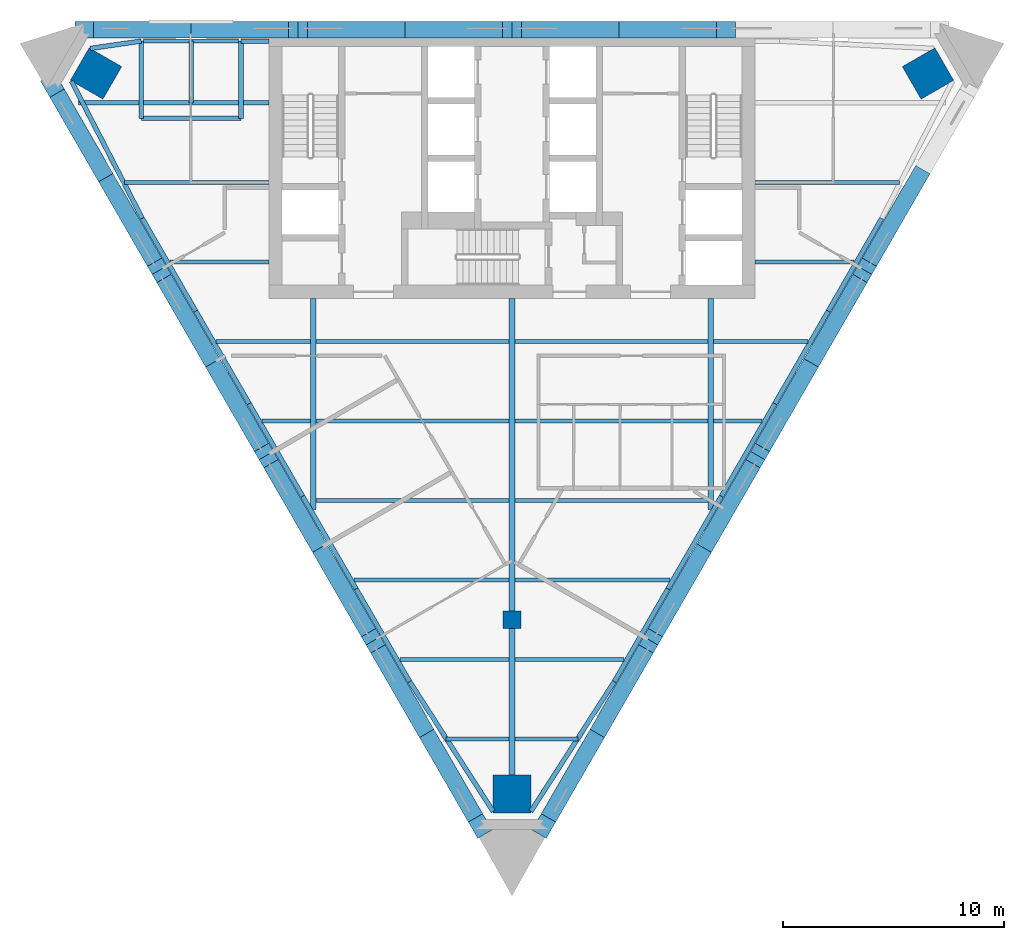
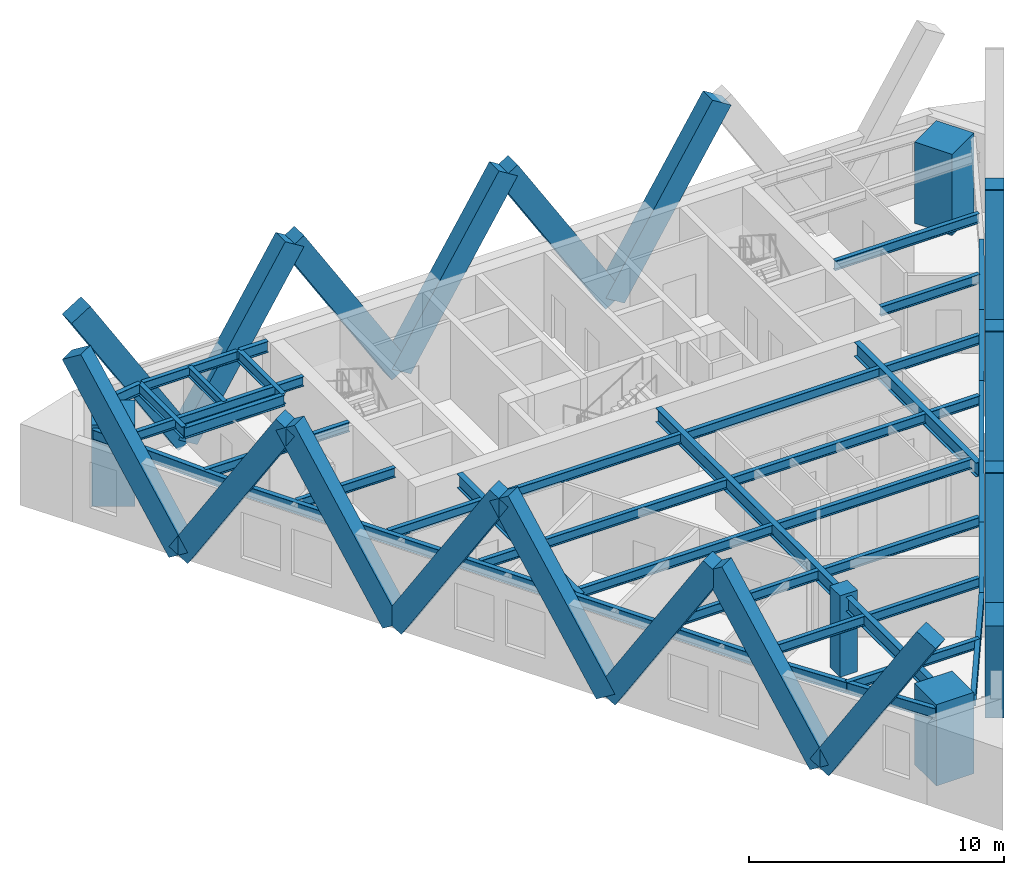
# One storey, part 1 of 7: 45 beams, 21 members, 4 columns.
"""IFC4 building model written with IfcOpenShell, lengths in metres."""

from ifc_helpers import new_model, si_unit, direction, frame, origin, origin_2d, place, context, subcontext, project, spatial, rectangle, i_section, extrude, material, material_profile, profile_set, type_object, element, save


model = new_model("IFC4")

# Units and contexts
model_context = context("Model", 3, precision=1e-05, world=origin(), true_north=direction((0.0, 1.0)))
body_context = subcontext(model_context, "Body", "Model", "MODEL_VIEW")
ifc_project = project(units=[si_unit("LENGTHUNIT", "METRE"), si_unit("AREAUNIT", "SQUARE_METRE"), si_unit("VOLUMEUNIT", "CUBIC_METRE"), si_unit("PLANEANGLEUNIT", "RADIAN"), si_unit("MASSUNIT", "GRAM", prefix="KILO")], contexts=[model_context])

# Site, building, storey
site_placement = place(None, origin())
site = spatial("IfcSite", under=ifc_project, at=site_placement, CompositionType="ELEMENT")
building_placement = place(site_placement, origin())
building = spatial("IfcBuilding", under=site, at=building_placement, Name="Aloe Facet Convention Tower", CompositionType="ELEMENT")
storey_placement = place(building_placement, frame((0.0, 0.0, 188.0)))
storey = spatial("IfcBuildingStorey", under=building, at=storey_placement, Name="L47", CompositionType="ELEMENT", Elevation=188.0)

# Columns
ifc_material_1 = material(Name="Concrete C70/85", Category="concrete")
ifc_material_profile_1 = material_profile(ifc_material_1, rectangle(XDim=0.800048828125, YDim=0.800048828125, at=origin_2d()), Name="SF-GC-Z4")
ifc_profile_set_1 = profile_set([ifc_material_profile_1], Name="Concrete C70/85")
column_type_1 = type_object("IfcColumnType", Name="SF-GC-Z4", PredefinedType="COLUMN", material=ifc_profile_set_1)
column_placement = place(storey_placement, frame((80.0, 108.0, 0.0), z_axis=(0.0, 0.0, 1.0), x_axis=(1.0, 0.0, 0.0)))
element("IfcColumn", 1, at=column_placement, inside=storey, type_object=column_type_1, Name="Gravity column GC-Z4-9D", PredefinedType="COLUMN", context=body_context, shape_type="SweptSolid", body=[
    extrude(rectangle(XDim=0.800048828125, YDim=0.800048828125, at=origin_2d()), origin(), (0.0, 0.0, 1.0), 3.89990234375),
])
ifc_material_2 = material(Name="Concrete C80/95", Category="concrete")
ifc_material_profile_2 = material_profile(ifc_material_2, rectangle(XDim=1.699951171875, YDim=1.699951171875, at=origin_2d()), Name="STW-MC-Z4")
ifc_profile_set_2 = profile_set([ifc_material_profile_2], Name="Concrete C80/95")
column_type_2 = type_object("IfcColumnType", Name="STW-MC-Z4", PredefinedType="COLUMN", material=ifc_profile_set_2)
for number, where, z_axis, x_axis, name in (
    (2, (98.828857421875, 132.727783203125, 0.0), (0.0, 0.0, 1.0), (-0.5, 0.866025403784, 0.0), "Mega-column MC-NE-L47"),
    (3, (61.171142578125, 132.727783203125, 0.0), (0.0, 0.0, 1.0), (-0.5, -0.866025403784, 0.0), "Mega-column MC-NW-L47"),
    (4, (80.0, 100.114990234375, 0.0), (0.0, 0.0, 1.0), (1.0, 0.0, 0.0), "Mega-column MC-S-L47"),
):
    element("IfcColumn", number, at=place(storey_placement, frame(where, z_axis=z_axis, x_axis=x_axis)), inside=storey, type_object=column_type_2, Name=name, PredefinedType="COLUMN", context=body_context, shape_type="SweptSolid", body=[
        extrude(rectangle(XDim=1.699951171875, YDim=1.699951171875, at=origin_2d()), origin(), (0.0, 0.0, 1.0), 3.89990234375),
    ])

# Beams
ifc_material_3 = material(Name="Steel S355", Category="steel")
ifc_material_profile_3 = material_profile(ifc_material_3, i_section(OverallWidth=0.19140625, OverallDepth=0.4599609375, WebThickness=0.010009765625, FlangeThickness=0.01611328125, FilletRadius=0.01025390625, at=origin_2d()), Name="UB 457x191x82")
ifc_profile_set_3 = profile_set([ifc_material_profile_3], Name="Steel S355")
beam_type_1 = type_object("IfcBeamType", Name="SF-B-UB457x191x82", PredefinedType="BEAM", material=ifc_profile_set_3)
beam_1_placement = place(storey_placement, frame((60.373779296875, 131.39990234375, 3.52001953125), z_axis=(1.0, 0.0, 0.0), x_axis=(0.0, 1.0, 0.0)))
element("IfcBeam", 5, at=beam_1_placement, inside=storey, type_object=beam_type_1, Name="Floor beam FB-Z4C-026", PredefinedType="BEAM", context=body_context, shape_type="SweptSolid", body=[
    extrude(i_section(OverallWidth=0.19140625, OverallDepth=0.4599609375, WebThickness=0.010009765625, FlangeThickness=0.01611328125, FilletRadius=0.01025390625, at=origin_2d()), origin(), (0.0, 0.0, 1.0), 8.626220703125),
])
beam_2_placement = place(storey_placement, frame((62.452392578125, 127.800048828125, 3.52001953125), z_axis=(1.0, 0.0, 0.0), x_axis=(0.0, 1.0, 0.0)))
element("IfcBeam", 6, at=beam_2_placement, inside=storey, type_object=beam_type_1, Name="Floor beam FB-Z4C-027", PredefinedType="BEAM", context=body_context, shape_type="SweptSolid", body=[
    extrude(i_section(OverallWidth=0.19140625, OverallDepth=0.4599609375, WebThickness=0.010009765625, FlangeThickness=0.01611328125, FilletRadius=0.01025390625, at=origin_2d()), origin(), (0.0, 0.0, 1.0), 6.547607421875),
])
beam_3_placement = place(storey_placement, frame((64.53076171875, 124.199951171875, 3.52001953125), z_axis=(1.0, 0.0, 0.0), x_axis=(0.0, 1.0, 0.0)))
element("IfcBeam", 7, at=beam_3_placement, inside=storey, type_object=beam_type_1, Name="Floor beam FB-Z4C-028", PredefinedType="BEAM", context=body_context, shape_type="SweptSolid", body=[
    extrude(i_section(OverallWidth=0.19140625, OverallDepth=0.4599609375, WebThickness=0.010009765625, FlangeThickness=0.01611328125, FilletRadius=0.01025390625, at=origin_2d()), origin(), (0.0, 0.0, 1.0), 4.46923828125),
])
beam_4_placement = place(storey_placement, frame((66.609130859375, 120.60009765625, 3.52001953125), z_axis=(1.0, 0.0, 0.0), x_axis=(0.0, 1.0, 0.0)))
element("IfcBeam", 8, at=beam_4_placement, inside=storey, type_object=beam_type_1, Name="Floor beam FB-Z4C-029", PredefinedType="BEAM", context=body_context, shape_type="SweptSolid", body=[
    extrude(i_section(OverallWidth=0.19140625, OverallDepth=0.4599609375, WebThickness=0.010009765625, FlangeThickness=0.01611328125, FilletRadius=0.01025390625, at=origin_2d()), origin(), (0.0, 0.0, 1.0), 4.264404296875),
])
beam_5_placement = place(storey_placement, frame((68.687744140625, 117.0, 3.52001953125), z_axis=(1.0, 0.0, 0.0), x_axis=(0.0, 1.0, 0.0)))
element("IfcBeam", 9, at=beam_5_placement, inside=storey, type_object=beam_type_1, Name="Floor beam FB-Z4C-030", PredefinedType="BEAM", context=body_context, shape_type="SweptSolid", body=[
    extrude(i_section(OverallWidth=0.19140625, OverallDepth=0.4599609375, WebThickness=0.010009765625, FlangeThickness=0.01611328125, FilletRadius=0.01025390625, at=origin_2d()), origin(), (0.0, 0.0, 1.0), 2.185791015625),
])
for number, where, z_axis, x_axis, name in (
    (10, (71.12646484375, 113.39990234375, 3.52001953125), (1.0, 0.0, 0.0), (0.0, 1.0, 0.0), "Floor beam FB-Z4C-031"),
    (11, (71.12646484375, 117.0, 3.52001953125), (1.0, 0.0, 0.0), (0.0, 1.0, 0.0), "Floor beam FB-Z4C-032"),
    (12, (71.12646484375, 120.60009765625, 3.52001953125), (1.0, 0.0, 0.0), (0.0, 1.0, 0.0), "Floor beam FB-Z4C-033"),
):
    element("IfcBeam", number, at=place(storey_placement, frame(where, z_axis=z_axis, x_axis=x_axis)), inside=storey, type_object=beam_type_1, Name=name, PredefinedType="BEAM", context=body_context, shape_type="SweptSolid", body=[
        extrude(i_section(OverallWidth=0.19140625, OverallDepth=0.4599609375, WebThickness=0.010009765625, FlangeThickness=0.01611328125, FilletRadius=0.01025390625, at=origin_2d()), origin(), (0.0, 0.0, 1.0), 8.7470703125),
    ])
beam_6_placement = place(storey_placement, frame((72.844482421875, 109.800048828125, 3.52001953125), z_axis=(1.0, 0.0, 0.0), x_axis=(0.0, 1.0, 0.0)))
element("IfcBeam", 13, at=beam_6_placement, inside=storey, type_object=beam_type_1, Name="Floor beam FB-Z4C-034", PredefinedType="BEAM", context=body_context, shape_type="SweptSolid", body=[
    extrude(i_section(OverallWidth=0.19140625, OverallDepth=0.4599609375, WebThickness=0.010009765625, FlangeThickness=0.01611328125, FilletRadius=0.01025390625, at=origin_2d()), origin(), (0.0, 0.0, 1.0), 7.029052734375),
])
beam_7_placement = place(storey_placement, frame((74.923095703125, 106.199951171875, 3.52001953125), z_axis=(1.0, 0.0, 0.0), x_axis=(0.0, 1.0, 0.0)))
element("IfcBeam", 14, at=beam_7_placement, inside=storey, type_object=beam_type_1, Name="Floor beam FB-Z4C-035", PredefinedType="BEAM", context=body_context, shape_type="SweptSolid", body=[
    extrude(i_section(OverallWidth=0.19140625, OverallDepth=0.4599609375, WebThickness=0.010009765625, FlangeThickness=0.01611328125, FilletRadius=0.01025390625, at=origin_2d()), origin(), (0.0, 0.0, 1.0), 4.950439453125),
])
for number, where, z_axis, x_axis, name in (
    (15, (77.00146484375, 102.60009765625, 3.52001953125), (1.0, 0.0, 0.0), (0.0, 1.0, 0.0), "Floor beam FB-Z4C-036"),
    (16, (80.12646484375, 102.60009765625, 3.52001953125), (1.0, 0.0, 0.0), (0.0, 1.0, 0.0), "Floor beam FB-Z4C-037"),
):
    element("IfcBeam", number, at=place(storey_placement, frame(where, z_axis=z_axis, x_axis=x_axis)), inside=storey, type_object=beam_type_1, Name=name, PredefinedType="BEAM", context=body_context, shape_type="SweptSolid", body=[
        extrude(i_section(OverallWidth=0.19140625, OverallDepth=0.4599609375, WebThickness=0.010009765625, FlangeThickness=0.01611328125, FilletRadius=0.01025390625, at=origin_2d()), origin(), (0.0, 0.0, 1.0), 2.8720703125),
    ])
beam_8_placement = place(storey_placement, frame((80.12646484375, 106.199951171875, 3.52001953125), z_axis=(1.0, 0.0, 0.0), x_axis=(0.0, 1.0, 0.0)))
element("IfcBeam", 17, at=beam_8_placement, inside=storey, type_object=beam_type_1, Name="Floor beam FB-Z4C-038", PredefinedType="BEAM", context=body_context, shape_type="SweptSolid", body=[
    extrude(i_section(OverallWidth=0.19140625, OverallDepth=0.4599609375, WebThickness=0.010009765625, FlangeThickness=0.01611328125, FilletRadius=0.01025390625, at=origin_2d()), origin(), (0.0, 0.0, 1.0), 4.950439453125),
])
beam_9_placement = place(storey_placement, frame((80.12646484375, 109.800048828125, 3.52001953125), z_axis=(1.0, 0.0, 0.0), x_axis=(0.0, 1.0, 0.0)))
element("IfcBeam", 18, at=beam_9_placement, inside=storey, type_object=beam_type_1, Name="Floor beam FB-Z4C-039", PredefinedType="BEAM", context=body_context, shape_type="SweptSolid", body=[
    extrude(i_section(OverallWidth=0.19140625, OverallDepth=0.4599609375, WebThickness=0.010009765625, FlangeThickness=0.01611328125, FilletRadius=0.01025390625, at=origin_2d()), origin(), (0.0, 0.0, 1.0), 7.029052734375),
])
for number, where, z_axis, x_axis, name in (
    (19, (80.12646484375, 113.39990234375, 3.52001953125), (1.0, 0.0, 0.0), (0.0, 1.0, 0.0), "Floor beam FB-Z4C-040"),
    (20, (80.12646484375, 117.0, 3.52001953125), (1.0, 0.0, 0.0), (0.0, 1.0, 0.0), "Floor beam FB-Z4C-041"),
    (21, (80.12646484375, 120.60009765625, 3.52001953125), (1.0, 0.0, 0.0), (0.0, 1.0, 0.0), "Floor beam FB-Z4C-042"),
):
    element("IfcBeam", number, at=place(storey_placement, frame(where, z_axis=z_axis, x_axis=x_axis)), inside=storey, type_object=beam_type_1, Name=name, PredefinedType="BEAM", context=body_context, shape_type="SweptSolid", body=[
        extrude(i_section(OverallWidth=0.19140625, OverallDepth=0.4599609375, WebThickness=0.010009765625, FlangeThickness=0.01611328125, FilletRadius=0.01025390625, at=origin_2d()), origin(), (0.0, 0.0, 1.0), 8.7470703125),
    ])
beam_10_placement = place(storey_placement, frame((89.12646484375, 117.0, 3.52001953125), z_axis=(1.0, 0.0, 0.0), x_axis=(0.0, 1.0, 0.0)))
element("IfcBeam", 22, at=beam_10_placement, inside=storey, type_object=beam_type_1, Name="Floor beam FB-Z4C-043", PredefinedType="BEAM", context=body_context, shape_type="SweptSolid", body=[
    extrude(i_section(OverallWidth=0.19140625, OverallDepth=0.4599609375, WebThickness=0.010009765625, FlangeThickness=0.01611328125, FilletRadius=0.01025390625, at=origin_2d()), origin(), (0.0, 0.0, 1.0), 2.185791015625),
])
beam_11_placement = place(storey_placement, frame((89.12646484375, 120.60009765625, 3.52001953125), z_axis=(1.0, 0.0, 0.0), x_axis=(0.0, 1.0, 0.0)))
element("IfcBeam", 23, at=beam_11_placement, inside=storey, type_object=beam_type_1, Name="Floor beam FB-Z4C-044", PredefinedType="BEAM", context=body_context, shape_type="SweptSolid", body=[
    extrude(i_section(OverallWidth=0.19140625, OverallDepth=0.4599609375, WebThickness=0.010009765625, FlangeThickness=0.01611328125, FilletRadius=0.01025390625, at=origin_2d()), origin(), (0.0, 0.0, 1.0), 4.264404296875),
])
beam_12_placement = place(storey_placement, frame((91.0, 124.199951171875, 3.52001953125), z_axis=(1.0, 0.0, 0.0), x_axis=(0.0, 1.0, 0.0)))
element("IfcBeam", 24, at=beam_12_placement, inside=storey, type_object=beam_type_1, Name="Floor beam FB-Z4C-045", PredefinedType="BEAM", context=body_context, shape_type="SweptSolid", body=[
    extrude(i_section(OverallWidth=0.19140625, OverallDepth=0.4599609375, WebThickness=0.010009765625, FlangeThickness=0.01611328125, FilletRadius=0.01025390625, at=origin_2d()), origin(), (0.0, 0.0, 1.0), 4.46923828125),
])
beam_13_placement = place(storey_placement, frame((91.0, 127.800048828125, 3.52001953125), z_axis=(1.0, 0.0, 0.0), x_axis=(0.0, 1.0, 0.0)))
element("IfcBeam", 25, at=beam_13_placement, inside=storey, type_object=beam_type_1, Name="Floor beam FB-Z4C-046", PredefinedType="BEAM", context=body_context, shape_type="SweptSolid", body=[
    extrude(i_section(OverallWidth=0.19140625, OverallDepth=0.4599609375, WebThickness=0.010009765625, FlangeThickness=0.01611328125, FilletRadius=0.01025390625, at=origin_2d()), origin(), (0.0, 0.0, 1.0), 6.547607421875),
])
beam_14_placement = place(storey_placement, frame((63.326416015625, 134.1953125, 3.52001953125), z_axis=(1.0, 0.0, 0.0), x_axis=(0.0, 1.0, 0.0)))
element("IfcBeam", 26, at=beam_14_placement, inside=storey, type_object=beam_type_1, Name="Terrace beam FB-T10-2", PredefinedType="BEAM", context=body_context, shape_type="SweptSolid", body=[
    extrude(i_section(OverallWidth=0.19140625, OverallDepth=0.4599609375, WebThickness=0.010009765625, FlangeThickness=0.01611328125, FilletRadius=0.01025390625, at=origin_2d()), origin(), (0.0, 0.0, 1.0), 4.300048828125),
])
beam_15_placement = place(storey_placement, frame((65.4765625, 131.39990234375, 3.52001953125), z_axis=(0.0, 1.0, 0.0), x_axis=(-1.0, 0.0, 0.0)))
element("IfcBeam", 27, at=beam_15_placement, inside=storey, type_object=beam_type_1, Name="Terrace beam FB-T10-3", PredefinedType="BEAM", context=body_context, shape_type="SweptSolid", body=[
    extrude(i_section(OverallWidth=0.19140625, OverallDepth=0.4599609375, WebThickness=0.010009765625, FlangeThickness=0.01611328125, FilletRadius=0.01025390625, at=origin_2d()), origin(), (0.0, 0.0, 1.0), 2.79541015625),
])
ifc_material_4 = material(Name="Steel S355", Category="steel")
ifc_material_profile_4 = material_profile(ifc_material_4, i_section(OverallWidth=0.209228515625, OverallDepth=0.533203125, WebThickness=0.010009765625, FlangeThickness=0.015625, FilletRadius=0.0126953125, at=origin_2d()), Name="UB 533x210x92")
ifc_profile_set_4 = profile_set([ifc_material_profile_4], Name="Steel S355")
beam_type_2 = type_object("IfcBeamType", Name="SF-B-UB533x210x92", PredefinedType="BEAM", material=ifc_profile_set_4)
beam_16_placement = place(storey_placement, frame((60.9072265625, 133.861572265625, 3.4833984375), z_axis=(0.98976492374, 0.142707377993, 0.0), x_axis=(-0.142707377993, 0.98976492374, 0.0)))
element("IfcBeam", 28, at=beam_16_placement, inside=storey, type_object=beam_type_2, Name="Floor beam FB-Z4C-001", PredefinedType="BEAM", context=body_context, shape_type="SweptSolid", body=[
    extrude(i_section(OverallWidth=0.209228515625, OverallDepth=0.533203125, WebThickness=0.010009765625, FlangeThickness=0.015625, FilletRadius=0.0126953125, at=origin_2d()), origin(), (0.0, 0.0, 1.0), 2.338623046875),
])
beam_17_placement = place(storey_placement, frame((63.221923828125, 130.6953125, 3.4833984375), z_axis=(1.0, 0.0, 0.0), x_axis=(0.0, 1.0, 0.0)))
element("IfcBeam", 29, at=beam_17_placement, inside=storey, type_object=beam_type_2, Name="Floor beam FB-Z4C-002", PredefinedType="BEAM", context=body_context, shape_type="SweptSolid", body=[
    extrude(i_section(OverallWidth=0.209228515625, OverallDepth=0.533203125, WebThickness=0.010009765625, FlangeThickness=0.015625, FilletRadius=0.0126953125, at=origin_2d()), origin(), (0.0, 0.0, 1.0), 4.50927734375),
])
beam_18_placement = place(storey_placement, frame((63.221923828125, 134.1953125, 3.4833984375), z_axis=(0.0, -1.0, 0.0), x_axis=(1.0, 0.0, 0.0)))
element("IfcBeam", 30, at=beam_18_placement, inside=storey, type_object=beam_type_2, Name="Floor beam FB-Z4C-003", PredefinedType="BEAM", context=body_context, shape_type="SweptSolid", body=[
    extrude(i_section(OverallWidth=0.209228515625, OverallDepth=0.533203125, WebThickness=0.010009765625, FlangeThickness=0.015625, FilletRadius=0.0126953125, at=origin_2d()), origin(), (0.0, 0.0, 1.0), 3.5),
])
beam_19_placement = place(storey_placement, frame((63.26318359375, 126.1689453125, 3.4833984375), z_axis=(-0.458134533977, 0.888882865611, 0.0), x_axis=(-0.888882865611, -0.458134533977, 0.0)))
element("IfcBeam", 31, at=beam_19_placement, inside=storey, type_object=beam_type_2, Name="Floor beam FB-Z4C-004", PredefinedType="BEAM", context=body_context, shape_type="SweptSolid", body=[
    extrude(i_section(OverallWidth=0.209228515625, OverallDepth=0.533203125, WebThickness=0.010009765625, FlangeThickness=0.015625, FilletRadius=0.0126953125, at=origin_2d()), origin(), (0.0, 0.0, 1.0), 6.998046875),
])
beam_20_placement = place(storey_placement, frame((65.68359375, 121.976318359375, 3.4833984375), z_axis=(-0.499968373182, 0.866043662766, 0.0), x_axis=(-0.866043662766, -0.499968373182, 0.0)))
element("IfcBeam", 32, at=beam_20_placement, inside=storey, type_object=beam_type_2, Name="Floor beam FB-Z4C-005", PredefinedType="BEAM", context=body_context, shape_type="SweptSolid", body=[
    extrude(i_section(OverallWidth=0.209228515625, OverallDepth=0.533203125, WebThickness=0.010009765625, FlangeThickness=0.015625, FilletRadius=0.0126953125, at=origin_2d()), origin(), (0.0, 0.0, 1.0), 4.841064453125),
])
beam_21_placement = place(storey_placement, frame((67.731201171875, 130.6953125, 3.4833984375), z_axis=(0.0, 1.0, 0.0), x_axis=(-1.0, 0.0, 0.0)))
element("IfcBeam", 33, at=beam_21_placement, inside=storey, type_object=beam_type_2, Name="Floor beam FB-Z4C-006", PredefinedType="BEAM", context=body_context, shape_type="SweptSolid", body=[
    extrude(i_section(OverallWidth=0.209228515625, OverallDepth=0.533203125, WebThickness=0.010009765625, FlangeThickness=0.015625, FilletRadius=0.0126953125, at=origin_2d()), origin(), (0.0, 0.0, 1.0), 3.5),
])
beam_22_placement = place(storey_placement, frame((67.731201171875, 134.1953125, 3.4833984375), z_axis=(1.0, 0.0, 0.0), x_axis=(0.0, 1.0, 0.0)))
element("IfcBeam", 34, at=beam_22_placement, inside=storey, type_object=beam_type_2, Name="Floor beam FB-Z4C-007", PredefinedType="BEAM", context=body_context, shape_type="SweptSolid", body=[
    extrude(i_section(OverallWidth=0.209228515625, OverallDepth=0.533203125, WebThickness=0.010009765625, FlangeThickness=0.015625, FilletRadius=0.0126953125, at=origin_2d()), origin(), (0.0, 0.0, 1.0), 1.268798828125),
])
beam_23_placement = place(storey_placement, frame((68.104248046875, 117.783935546875, 3.4833984375), z_axis=(-0.500028033741, 0.866009217892, 0.0), x_axis=(-0.866009217892, -0.500028033741, 0.0)))
element("IfcBeam", 35, at=beam_23_placement, inside=storey, type_object=beam_type_2, Name="Floor beam FB-Z4C-008", PredefinedType="BEAM", context=body_context, shape_type="SweptSolid", body=[
    extrude(i_section(OverallWidth=0.209228515625, OverallDepth=0.533203125, WebThickness=0.010009765625, FlangeThickness=0.015625, FilletRadius=0.0126953125, at=origin_2d()), origin(), (0.0, 0.0, 1.0), 4.841064453125),
])
beam_24_placement = place(storey_placement, frame((70.52490234375, 113.59130859375, 3.4833984375), z_axis=(-0.500006196252, 0.866021826347, 0.0), x_axis=(-0.866021826347, -0.500006196252, 0.0)))
element("IfcBeam", 36, at=beam_24_placement, inside=storey, type_object=beam_type_2, Name="Floor beam FB-Z4C-009", PredefinedType="BEAM", context=body_context, shape_type="SweptSolid", body=[
    extrude(i_section(OverallWidth=0.209228515625, OverallDepth=0.533203125, WebThickness=0.010009765625, FlangeThickness=0.015625, FilletRadius=0.0126953125, at=origin_2d()), origin(), (0.0, 0.0, 1.0), 4.84130859375),
])
for number, where, z_axis, x_axis, name in (
    (37, (72.9453125, 109.398681640625, 3.4833984375), (-0.499968373182, 0.866043662766, 0.0), (-0.866043662766, -0.499968373182, 0.0), "Floor beam FB-Z4C-010"),
    (38, (75.365966796875, 105.206298828125, 3.4833984375), (-0.500028033741, 0.866009217892, 0.0), (-0.866009217892, -0.500028033741, 0.0), "Floor beam FB-Z4C-011"),
):
    element("IfcBeam", number, at=place(storey_placement, frame(where, z_axis=z_axis, x_axis=x_axis)), inside=storey, type_object=beam_type_2, Name=name, PredefinedType="BEAM", context=body_context, shape_type="SweptSolid", body=[
        extrude(i_section(OverallWidth=0.209228515625, OverallDepth=0.533203125, WebThickness=0.010009765625, FlangeThickness=0.015625, FilletRadius=0.0126953125, at=origin_2d()), origin(), (0.0, 0.0, 1.0), 4.841064453125),
    ])
for number, where, z_axis, x_axis, name in (
    (39, (79.14990234375, 99.319580078125, 3.4833984375), (-0.540718799045, 0.841203411999, 0.0), (-0.841203411999, -0.540718799045, 0.0), "Floor beam FB-Z4C-012"),
    (40, (84.634033203125, 105.206298828125, 3.4833984375), (-0.540718799045, -0.841203411999, 0.0), (0.841203411999, -0.540718799045, 0.0), "Floor beam FB-Z4C-013"),
):
    element("IfcBeam", number, at=place(storey_placement, frame(where, z_axis=z_axis, x_axis=x_axis)), inside=storey, type_object=beam_type_2, Name=name, PredefinedType="BEAM", context=body_context, shape_type="SweptSolid", body=[
        extrude(i_section(OverallWidth=0.209228515625, OverallDepth=0.533203125, WebThickness=0.010009765625, FlangeThickness=0.015625, FilletRadius=0.0126953125, at=origin_2d()), origin(), (0.0, 0.0, 1.0), 6.998046875),
    ])
for number, where, z_axis, x_axis, name in (
    (41, (87.0546875, 109.398681640625, 3.4833984375), (-0.500028033741, -0.866009217892, 0.0), (0.866009217892, -0.500028033741, 0.0), "Floor beam FB-Z4C-014"),
    (42, (89.47509765625, 113.59130859375, 3.4833984375), (-0.499968373182, -0.866043662766, 0.0), (0.866043662766, -0.499968373182, 0.0), "Floor beam FB-Z4C-015"),
):
    element("IfcBeam", number, at=place(storey_placement, frame(where, z_axis=z_axis, x_axis=x_axis)), inside=storey, type_object=beam_type_2, Name=name, PredefinedType="BEAM", context=body_context, shape_type="SweptSolid", body=[
        extrude(i_section(OverallWidth=0.209228515625, OverallDepth=0.533203125, WebThickness=0.010009765625, FlangeThickness=0.015625, FilletRadius=0.0126953125, at=origin_2d()), origin(), (0.0, 0.0, 1.0), 4.841064453125),
    ])
beam_25_placement = place(storey_placement, frame((91.895751953125, 117.783935546875, 3.4833984375), z_axis=(-0.500006196252, -0.866021826347, 0.0), x_axis=(0.866021826347, -0.500006196252, 0.0)))
element("IfcBeam", 43, at=beam_25_placement, inside=storey, type_object=beam_type_2, Name="Floor beam FB-Z4C-017", PredefinedType="BEAM", context=body_context, shape_type="SweptSolid", body=[
    extrude(i_section(OverallWidth=0.209228515625, OverallDepth=0.533203125, WebThickness=0.010009765625, FlangeThickness=0.015625, FilletRadius=0.0126953125, at=origin_2d()), origin(), (0.0, 0.0, 1.0), 4.84130859375),
])
for number, where, z_axis, x_axis, name in (
    (44, (94.31640625, 121.976318359375, 3.4833984375), (-0.500028033741, -0.866009217892, 0.0), (0.866009217892, -0.500028033741, 0.0), "Floor beam FB-Z4C-019"),
    (45, (96.73681640625, 126.1689453125, 3.4833984375), (-0.499968373182, -0.866043662766, 0.0), (0.866043662766, -0.499968373182, 0.0), "Floor beam FB-Z4C-020"),
):
    element("IfcBeam", number, at=place(storey_placement, frame(where, z_axis=z_axis, x_axis=x_axis)), inside=storey, type_object=beam_type_2, Name=name, PredefinedType="BEAM", context=body_context, shape_type="SweptSolid", body=[
        extrude(i_section(OverallWidth=0.209228515625, OverallDepth=0.533203125, WebThickness=0.010009765625, FlangeThickness=0.015625, FilletRadius=0.0126953125, at=origin_2d()), origin(), (0.0, 0.0, 1.0), 4.841064453125),
    ])
ifc_material_5 = material(Name="Steel S355", Category="steel")
ifc_material_profile_5 = material_profile(ifc_material_5, i_section(OverallWidth=0.2529296875, OverallDepth=0.677978515625, WebThickness=0.01171875, FlangeThickness=0.01611328125, FilletRadius=0.01513671875, at=origin_2d()), Name="UB 686x254x125")
ifc_profile_set_5 = profile_set([ifc_material_profile_5], Name="Steel S355")
beam_type_3 = type_object("IfcBeamType", Name="SF-B-UB686x254x125", PredefinedType="BEAM", material=ifc_profile_set_5)
beam_26_placement = place(storey_placement, frame((71.0, 122.550048828125, 3.410888671875), z_axis=(0.0, -1.0, 0.0), x_axis=(1.0, 0.0, 0.0)))
element("IfcBeam", 46, at=beam_26_placement, inside=storey, type_object=beam_type_3, Name="Floor beam FB-Z4C-022", PredefinedType="BEAM", context=body_context, shape_type="SweptSolid", body=[
    extrude(i_section(OverallWidth=0.2529296875, OverallDepth=0.677978515625, WebThickness=0.01171875, FlangeThickness=0.01611328125, FilletRadius=0.01513671875, at=origin_2d()), origin(), (0.0, 0.0, 1.0), 9.5625),
])
beam_27_placement = place(storey_placement, frame((80.0, 107.60009765625, 3.410888671875), z_axis=(0.0, -1.0, 0.0), x_axis=(1.0, 0.0, 0.0)))
element("IfcBeam", 47, at=beam_27_placement, inside=storey, type_object=beam_type_3, Name="Floor beam FB-Z4C-023", PredefinedType="BEAM", context=body_context, shape_type="SweptSolid", body=[
    extrude(i_section(OverallWidth=0.2529296875, OverallDepth=0.677978515625, WebThickness=0.01171875, FlangeThickness=0.01611328125, FilletRadius=0.01513671875, at=origin_2d()), origin(), (0.0, 0.0, 1.0), 8.165771484375),
])
beam_28_placement = place(storey_placement, frame((80.0, 122.550048828125, 3.410888671875), z_axis=(0.0, -1.0, 0.0), x_axis=(1.0, 0.0, 0.0)))
element("IfcBeam", 48, at=beam_28_placement, inside=storey, type_object=beam_type_3, Name="Floor beam FB-Z4C-024", PredefinedType="BEAM", context=body_context, shape_type="SweptSolid", body=[
    extrude(i_section(OverallWidth=0.2529296875, OverallDepth=0.677978515625, WebThickness=0.01171875, FlangeThickness=0.01611328125, FilletRadius=0.01513671875, at=origin_2d()), origin(), (0.0, 0.0, 1.0), 14.150146484375),
])
beam_29_placement = place(storey_placement, frame((89.0, 122.550048828125, 3.410888671875), z_axis=(0.0, -1.0, 0.0), x_axis=(1.0, 0.0, 0.0)))
element("IfcBeam", 49, at=beam_29_placement, inside=storey, type_object=beam_type_3, Name="Floor beam FB-Z4C-025", PredefinedType="BEAM", context=body_context, shape_type="SweptSolid", body=[
    extrude(i_section(OverallWidth=0.2529296875, OverallDepth=0.677978515625, WebThickness=0.01171875, FlangeThickness=0.01611328125, FilletRadius=0.01513671875, at=origin_2d()), origin(), (0.0, 0.0, 1.0), 9.5625),
])

# Members
ifc_material_6 = material(Name="Concrete C60/75, bronze oxide finish", Category="concrete")
ifc_material_profile_6 = material_profile(ifc_material_6, rectangle(XDim=0.75, YDim=1.0, at=origin_2d()), Name="STW-LM")
ifc_profile_set_6 = profile_set([ifc_material_profile_6], Name="Concrete C60/75, bronze oxide finish")
member_type = type_object("IfcMemberType", Name="STW-LM", PredefinedType="BRACE", material=ifc_profile_set_6)
member_1_placement = place(storey_placement, frame((84.841064453125, 134.699951171875, 0.0), z_axis=(0.527354917858, 0.0, 0.849645096856), x_axis=(0.0, 1.0, 0.0)))
element("IfcMember", 50, at=member_1_placement, inside=storey, type_object=member_type, Name="Lattice member LM-Z4-F1-R1-03", PredefinedType="BRACE", context=body_context, shape_type="SweptSolid", body=[
    extrude(rectangle(XDim=0.75, YDim=1.0, at=origin_2d()), origin(), (0.0, 0.0, 1.0), 9.180419921875),
])
for number, where, z_axis, x_axis, name in (
    (51, (84.841064453125, 134.699951171875, 0.0), (-0.52733571948, 0.0, 0.849657012541), (0.0, -1.0, 0.0), "Lattice member LM-Z4-F1-R1-04"),
    (52, (75.158935546875, 134.699951171875, 0.0), (0.52733571948, 0.0, 0.849657012541), (0.0, 1.0, 0.0), "Lattice member LM-Z4-F1-R1-05"),
):
    element("IfcMember", number, at=place(storey_placement, frame(where, z_axis=z_axis, x_axis=x_axis)), inside=storey, type_object=member_type, Name=name, PredefinedType="BRACE", context=body_context, shape_type="SweptSolid", body=[
        extrude(rectangle(XDim=0.75, YDim=1.0, at=origin_2d()), origin(), (0.0, 0.0, 1.0), 9.18017578125),
    ])
member_2_placement = place(storey_placement, frame((75.158935546875, 134.699951171875, 0.0), z_axis=(-0.527354917858, 0.0, 0.849645096856), x_axis=(0.0, -1.0, 0.0)))
element("IfcMember", 53, at=member_2_placement, inside=storey, type_object=member_type, Name="Lattice member LM-Z4-F1-R1-06", PredefinedType="BRACE", context=body_context, shape_type="SweptSolid", body=[
    extrude(rectangle(XDim=0.75, YDim=1.0, at=origin_2d()), origin(), (0.0, 0.0, 1.0), 9.180419921875),
])
for number, where, z_axis, x_axis, name in (
    (54, (65.4765625, 134.699951171875, 0.0), (0.52733571948, 0.0, 0.849657012541), (0.0, 1.0, 0.0), "Lattice member LM-Z4-F1-R1-07"),
    (55, (65.4765625, 134.699951171875, 0.0), (-0.52733571948, 0.0, 0.849657012541), (0.0, -1.0, 0.0), "Lattice member LM-Z4-F1-R1-08"),
    (56, (61.61572265625, 128.012939453125, 0.0), (-0.263653622482, 0.456699985767, 0.84965398272), (-0.866043662766, -0.499968373182, 0.0), "Lattice member LM-Z4-F2-R1-01"),
):
    element("IfcMember", number, at=place(storey_placement, frame(where, z_axis=z_axis, x_axis=x_axis)), inside=storey, type_object=member_type, Name=name, PredefinedType="BRACE", context=body_context, shape_type="SweptSolid", body=[
        extrude(rectangle(XDim=0.75, YDim=1.0, at=origin_2d()), origin(), (0.0, 0.0, 1.0), 9.18017578125),
    ])
member_3_placement = place(storey_placement, frame((61.61572265625, 128.012939453125, 0.0), z_axis=(0.263678367654, -0.456696783431, 0.849648025029), x_axis=(0.866021826347, 0.500006196252, 0.0)))
element("IfcMember", 57, at=member_3_placement, inside=storey, type_object=member_type, Name="Lattice member LM-Z4-F2-R1-02", PredefinedType="BRACE", context=body_context, shape_type="SweptSolid", body=[
    extrude(rectangle(XDim=0.75, YDim=1.0, at=origin_2d()), origin(), (0.0, 0.0, 1.0), 9.180419921875),
])
for number, where, z_axis, x_axis, name in (
    (58, (66.45703125, 119.6279296875, 0.0), (-0.263681570082, 0.456675735901, 0.849658344182), (-0.866009217892, -0.500028033741, 0.0), "Lattice member LM-Z4-F2-R1-03"),
    (59, (66.45703125, 119.6279296875, 0.0), (0.263653622482, -0.456699985767, 0.84965398272), (0.866043662766, 0.499968373182, 0.0), "Lattice member LM-Z4-F2-R1-04"),
):
    element("IfcMember", number, at=place(storey_placement, frame(where, z_axis=z_axis, x_axis=x_axis)), inside=storey, type_object=member_type, Name=name, PredefinedType="BRACE", context=body_context, shape_type="SweptSolid", body=[
        extrude(rectangle(XDim=0.75, YDim=1.0, at=origin_2d()), origin(), (0.0, 0.0, 1.0), 9.18017578125),
    ])
for number, where, z_axis, x_axis, name in (
    (60, (71.298095703125, 111.24267578125, 0.0), (-0.263678367654, 0.456696783431, 0.849648025029), (-0.866021826347, -0.500006196252, 0.0), "Lattice member LM-Z4-F2-R1-05"),
    (61, (71.298095703125, 111.24267578125, 0.0), (0.263678367654, -0.456696783431, 0.849648025029), (0.866021826347, 0.500006196252, 0.0), "Lattice member LM-Z4-F2-R1-06"),
):
    element("IfcMember", number, at=place(storey_placement, frame(where, z_axis=z_axis, x_axis=x_axis)), inside=storey, type_object=member_type, Name=name, PredefinedType="BRACE", context=body_context, shape_type="SweptSolid", body=[
        extrude(rectangle(XDim=0.75, YDim=1.0, at=origin_2d()), origin(), (0.0, 0.0, 1.0), 9.180419921875),
    ])
member_4_placement = place(storey_placement, frame((76.13916015625, 102.857666015625, 0.0), z_axis=(-0.263656824656, 0.456678938167, 0.849664302091), x_axis=(-0.8660310559, -0.499990210121, 0.0)))
element("IfcMember", 62, at=member_4_placement, inside=storey, type_object=member_type, Name="Lattice member LM-Z4-F2-R1-07", PredefinedType="BRACE", context=body_context, shape_type="SweptSolid", body=[
    extrude(rectangle(XDim=0.75, YDim=1.0, at=origin_2d()), origin(), (0.0, 0.0, 1.0), 9.18017578125),
])
for number, where, z_axis, x_axis, name in (
    (63, (76.13916015625, 102.857666015625, 0.0), (0.263678367654, -0.456696783431, 0.849648025029), (0.866021826347, 0.500006196252, 0.0), "Lattice member LM-Z4-F2-R1-08"),
    (64, (83.86083984375, 102.857666015625, 0.0), (-0.263678367654, -0.456696783431, 0.849648025029), (0.866021826347, -0.500006196252, 0.0), "Lattice member LM-Z4-F3-R1-01"),
):
    element("IfcMember", number, at=place(storey_placement, frame(where, z_axis=z_axis, x_axis=x_axis)), inside=storey, type_object=member_type, Name=name, PredefinedType="BRACE", context=body_context, shape_type="SweptSolid", body=[
        extrude(rectangle(XDim=0.75, YDim=1.0, at=origin_2d()), origin(), (0.0, 0.0, 1.0), 9.180419921875),
    ])
member_5_placement = place(storey_placement, frame((83.86083984375, 102.857666015625, 0.0), z_axis=(0.263656824656, 0.456678938167, 0.849664302091), x_axis=(-0.8660310559, 0.499990210121, 0.0)))
element("IfcMember", 65, at=member_5_placement, inside=storey, type_object=member_type, Name="Lattice member LM-Z4-F3-R1-02", PredefinedType="BRACE", context=body_context, shape_type="SweptSolid", body=[
    extrude(rectangle(XDim=0.75, YDim=1.0, at=origin_2d()), origin(), (0.0, 0.0, 1.0), 9.18017578125),
])
for number, where, z_axis, x_axis, name in (
    (66, (88.701904296875, 111.24267578125, 0.0), (-0.263678367654, -0.456696783431, 0.849648025029), (0.866021826347, -0.500006196252, 0.0), "Lattice member LM-Z4-F3-R1-03"),
    (67, (88.701904296875, 111.24267578125, 0.0), (0.263678367654, 0.456696783431, 0.849648025029), (-0.866021826347, 0.500006196252, 0.0), "Lattice member LM-Z4-F3-R1-04"),
):
    element("IfcMember", number, at=place(storey_placement, frame(where, z_axis=z_axis, x_axis=x_axis)), inside=storey, type_object=member_type, Name=name, PredefinedType="BRACE", context=body_context, shape_type="SweptSolid", body=[
        extrude(rectangle(XDim=0.75, YDim=1.0, at=origin_2d()), origin(), (0.0, 0.0, 1.0), 9.180419921875),
    ])
for number, where, z_axis, x_axis, name in (
    (68, (93.54296875, 119.6279296875, 0.0), (-0.263653622482, -0.456699985767, 0.84965398272), (0.866043662766, -0.499968373182, 0.0), "Lattice member LM-Z4-F3-R1-05"),
    (69, (93.54296875, 119.6279296875, 0.0), (0.263681570082, 0.456675735901, 0.849658344182), (-0.866009217892, 0.500028033741, 0.0), "Lattice member LM-Z4-F3-R1-06"),
):
    element("IfcMember", number, at=place(storey_placement, frame(where, z_axis=z_axis, x_axis=x_axis)), inside=storey, type_object=member_type, Name=name, PredefinedType="BRACE", context=body_context, shape_type="SweptSolid", body=[
        extrude(rectangle(XDim=0.75, YDim=1.0, at=origin_2d()), origin(), (0.0, 0.0, 1.0), 9.18017578125),
    ])
member_6_placement = place(storey_placement, frame((98.38427734375, 128.012939453125, 0.0), z_axis=(-0.263678367654, -0.456696783431, 0.849648025029), x_axis=(0.866021826347, -0.500006196252, 0.0)))
element("IfcMember", 70, at=member_6_placement, inside=storey, type_object=member_type, Name="Lattice member LM-Z4-F3-R1-07", PredefinedType="BRACE", context=body_context, shape_type="SweptSolid", body=[
    extrude(rectangle(XDim=0.75, YDim=1.0, at=origin_2d()), origin(), (0.0, 0.0, 1.0), 9.180419921875),
])

save(model, "model.ifc")
